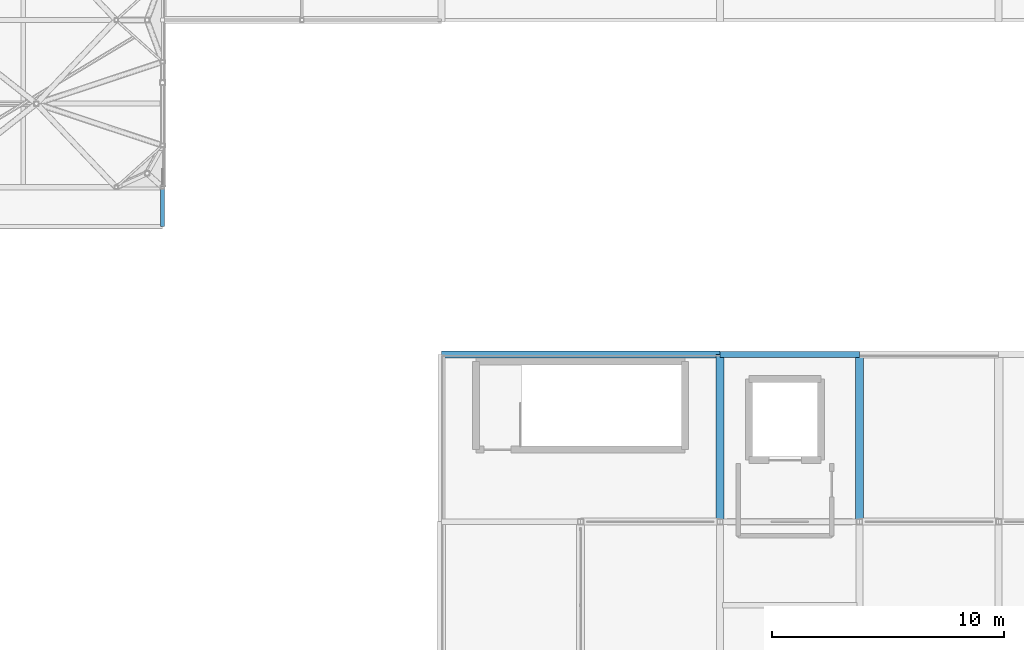
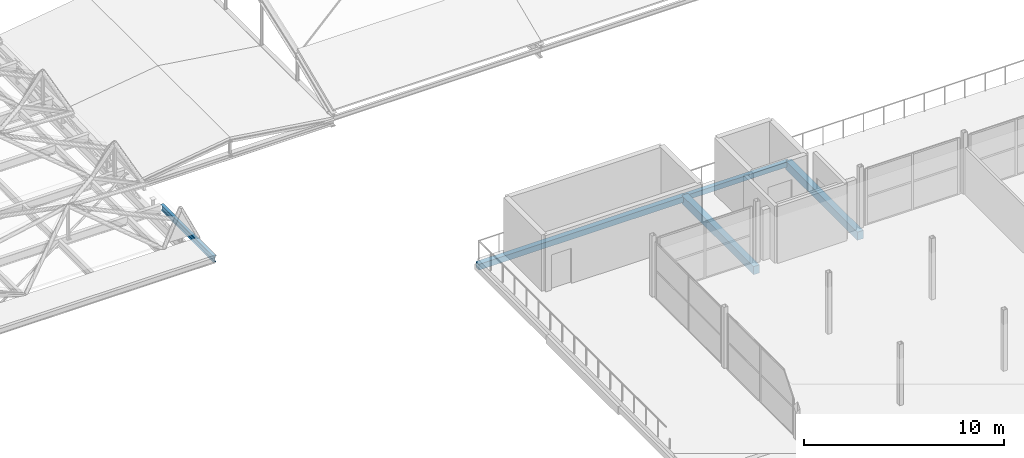
# One storey, part 47 of 239: 5 beams.
"""IFC4 building model written with IfcOpenShell, lengths in metres."""

from ifc_helpers import new_model, si_unit, direction, frame, origin, origin_2d, place, context, subcontext, project, spatial, rectangle, i_section, extrude, material, material_profile, profile_set, type_object, element, save


model = new_model("IFC4")

# Units and contexts
model_context = context("Model", 3, precision=1e-05, world=origin(), true_north=direction((0.0, 1.0)))
body_context = subcontext(model_context, "Body", "Model", "MODEL_VIEW")
ifc_project = project(units=[si_unit("LENGTHUNIT", "METRE"), si_unit("AREAUNIT", "SQUARE_METRE"), si_unit("VOLUMEUNIT", "CUBIC_METRE"), si_unit("PLANEANGLEUNIT", "RADIAN"), si_unit("MASSUNIT", "GRAM", prefix="KILO")], contexts=[model_context])

# Site, building, storey
site_placement = place(None, origin())
site = spatial("IfcSite", under=ifc_project, at=site_placement, CompositionType="ELEMENT")
building_placement = place(site_placement, origin())
building = spatial("IfcBuilding", under=site, at=building_placement, Name="Dunvalen Ferry Terminal", CompositionType="ELEMENT")
storey_placement = place(building_placement, frame((0.0, 0.0, 9.840087890625)))
storey = spatial("IfcBuildingStorey", under=building, at=storey_placement, Name="L02", CompositionType="ELEMENT", Elevation=9.840087890625)

# Beams
ifc_material_1 = material(Name="Steel S355", Category="steel")
ifc_material_profile_1 = material_profile(ifc_material_1, i_section(OverallWidth=0.169921875, OverallDepth=0.360107421875, WebThickness=0.008056640625, FlangeThickness=0.0126953125, FilletRadius=0.01806640625, at=origin_2d()), Name="Steel S355")
ifc_profile_set_1 = profile_set([ifc_material_profile_1], Name="Steel S355")
beam_type_1 = type_object("IfcBeamType", Name="STR-BM-IPE360", PredefinedType="BEAM", material=ifc_profile_set_1)
beam_1_placement = place(storey_placement, frame((96.0, 54.0, 0.81982421875), z_axis=(0.0, -1.0, 0.0), x_axis=(1.0, 0.0, 0.0)))
element("IfcBeam", 1, at=beam_1_placement, inside=storey, type_object=beam_type_1, Name="Departure Hall South Eave Outrigger 15", PredefinedType="BEAM", context=body_context, shape_type="SweptSolid", body=[
    extrude(i_section(OverallWidth=0.169921875, OverallDepth=0.360107421875, WebThickness=0.008056640625, FlangeThickness=0.0126953125, FilletRadius=0.01806640625, at=origin_2d()), origin(), (0.0, 0.0, 1.0), 5.300048828125),
])
ifc_material_2 = material(Name="Concrete C35/45", Category="concrete")
ifc_material_profile_2 = material_profile(ifc_material_2, rectangle(XDim=0.35009765625, YDim=0.5, at=origin_2d()), Name="Concrete C35/45")
ifc_profile_set_2 = profile_set([ifc_material_profile_2], Name="Concrete C35/45")
beam_type_2 = type_object("IfcBeamType", Name="STR-BM-RCB500W", PredefinedType="JOIST", material=ifc_profile_set_2)
for number, where, z_axis, x_axis, name in (
    (2, (120.0, 36.0, -0.530029296875), (0.0, 1.0, 0.0), (-1.0, 0.0, 0.0), "L02 V4 Primary Girder Y-079"),
    (3, (126.0, 36.0, -0.530029296875), (0.0, 1.0, 0.0), (-1.0, 0.0, 0.0), "L02 V4 Primary Girder Y-085"),
):
    element("IfcBeam", number, at=place(storey_placement, frame(where, z_axis=z_axis, x_axis=x_axis)), inside=storey, type_object=beam_type_2, Name=name, PredefinedType="JOIST", context=body_context, shape_type="SweptSolid", body=[
        extrude(rectangle(XDim=0.35009765625, YDim=0.5, at=origin_2d()), origin(), (0.0, 0.0, 1.0), 7.199951171875),
    ])
ifc_material_profile_3 = material_profile(ifc_material_2, rectangle(XDim=0.25, YDim=0.300048828125, at=origin_2d()), Name="Concrete C35/45")
ifc_profile_set_3 = profile_set([ifc_material_profile_3], Name="Concrete C35/45")
beam_type_3 = type_object("IfcBeamType", Name="STR-BM-RCL300", PredefinedType="LINTEL", material=ifc_profile_set_3)
beam_2_placement = place(storey_placement, frame((120.0, 43.199951171875, -0.43017578125), z_axis=(1.0, 0.0, 0.0), x_axis=(0.0, 1.0, 0.0)))
element("IfcBeam", 4, at=beam_2_placement, inside=storey, type_object=beam_type_3, Name="L02 V4 Primary Beam X-057", PredefinedType="LINTEL", context=body_context, shape_type="SweptSolid", body=[
    extrude(rectangle(XDim=0.25, YDim=0.300048828125, at=origin_2d()), origin(), (0.0, 0.0, 1.0), 6.0),
])
ifc_material_3 = material(Name="Concrete C40/50", Category="concrete")
ifc_material_profile_4 = material_profile(ifc_material_3, rectangle(XDim=0.300048828125, YDim=0.35009765625, at=origin_2d()), Name="Concrete C40/50")
ifc_profile_set_4 = profile_set([ifc_material_profile_4], Name="Concrete C40/50")
beam_type_4 = type_object("IfcBeamType", Name="STR-BM-RCL350", PredefinedType="LINTEL", material=ifc_profile_set_4)
beam_3_placement = place(storey_placement, frame((108.0, 43.199951171875, -0.455078125), z_axis=(1.0, 0.0, 0.0), x_axis=(0.0, 1.0, 0.0)))
element("IfcBeam", 5, at=beam_3_placement, inside=storey, type_object=beam_type_4, Name="L02 V4 Primary Beam X-056", PredefinedType="LINTEL", context=body_context, shape_type="SweptSolid", body=[
    extrude(rectangle(XDim=0.300048828125, YDim=0.35009765625, at=origin_2d()), origin(), (0.0, 0.0, 1.0), 12.0),
])

save(model, "model.ifc")
